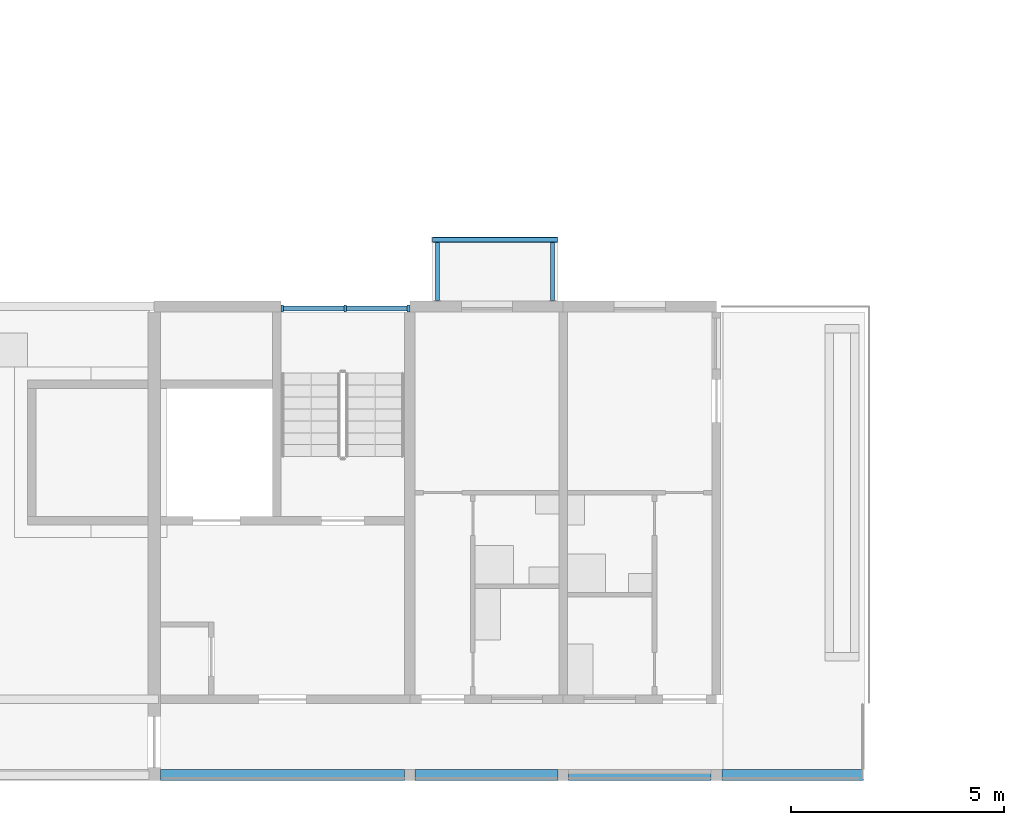
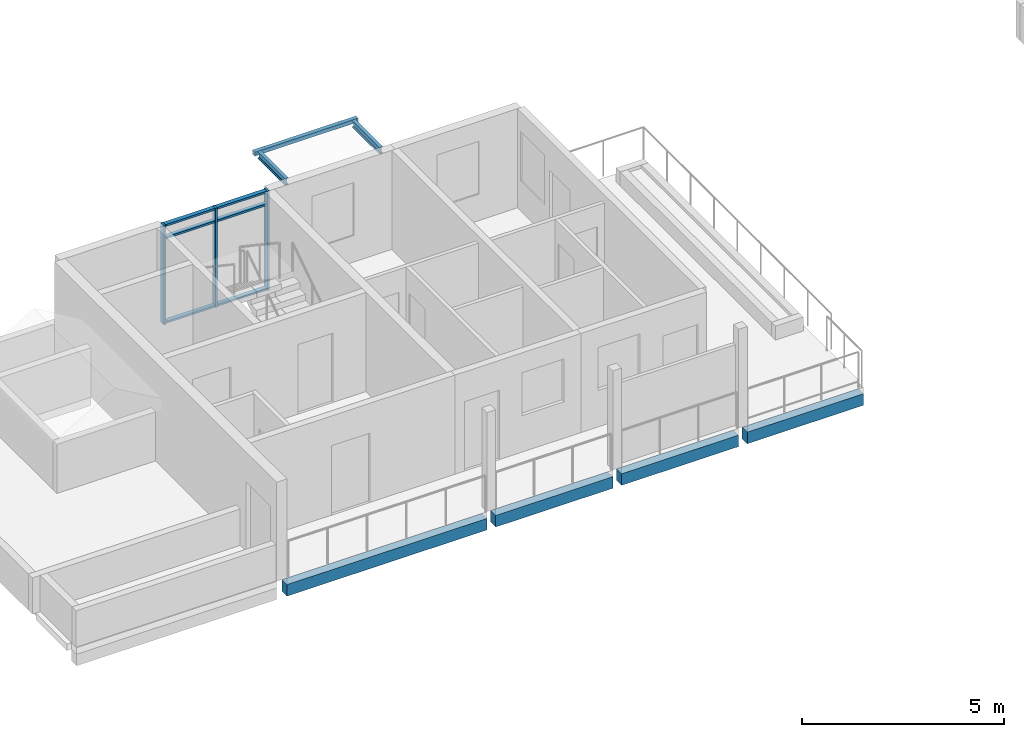
# One storey, part 4 of 41: 9 members, 7 beams, 1 element without a shape of its own.
"""IFC4 building model written with IfcOpenShell, lengths in metres."""

from ifc_helpers import new_model, si_unit, direction, frame, origin, origin_2d, place, context, subcontext, project, spatial, rectangle, hollow_rectangle, i_section, extrude, material, material_profile, profile_set, type_object, element, aggregate, save


model = new_model("IFC4")

# Units and contexts
model_context = context("Model", 3, precision=1e-05, world=origin(), true_north=direction((0.0, 1.0)))
body_context = subcontext(model_context, "Body", "Model", "MODEL_VIEW")
ifc_project = project(units=[si_unit("LENGTHUNIT", "METRE"), si_unit("AREAUNIT", "SQUARE_METRE"), si_unit("VOLUMEUNIT", "CUBIC_METRE"), si_unit("PLANEANGLEUNIT", "RADIAN"), si_unit("MASSUNIT", "GRAM", prefix="KILO")], contexts=[model_context])

# Site, building, storey
site_placement = place(None, origin())
site = spatial("IfcSite", under=ifc_project, at=site_placement, CompositionType="ELEMENT")
building_placement = place(site_placement, origin())
building = spatial("IfcBuilding", under=site, at=building_placement, Name="Ridgestep Commons", CompositionType="ELEMENT")
storey_placement = place(building_placement, frame((0.0, 0.0, 39.0)))
storey = spatial("IfcBuildingStorey", under=building, at=storey_placement, Name="L13", CompositionType="ELEMENT", Elevation=39.0)

# Beams
ifc_material_1 = material(Name="Precast concrete C40/50", Category="concrete")
ifc_material_profile_1 = material_profile(ifc_material_1, rectangle(XDim=0.25, YDim=0.35009765625, at=origin_2d()), Name="PC 250x350")
ifc_profile_set_1 = profile_set([ifc_material_profile_1], Name="Precast concrete C40/50")
beam_type_1 = type_object("IfcBeamType", Name="Loggia edge beam 250 x 350", PredefinedType="SPANDREL", material=ifc_profile_set_1)
beam_1_placement = place(storey_placement, frame((45.75, 11.875, -0.375), z_axis=(1.0, 0.0, 0.0), x_axis=(0.0, 1.0, 0.0)))
element("IfcBeam", 1, at=beam_1_placement, inside=storey, type_object=beam_type_1, Name="Loggia edge beam A3C L13", PredefinedType="SPANDREL", context=body_context, shape_type="SweptSolid", body=[
    extrude(rectangle(XDim=0.25, YDim=0.35009765625, at=origin_2d()), origin(), (0.0, 0.0, 1.0), 5.72509765625),
])
beam_2_placement = place(storey_placement, frame((51.72509765625, 11.875, -0.375), z_axis=(1.0, 0.0, 0.0), x_axis=(0.0, 1.0, 0.0)))
element("IfcBeam", 2, at=beam_2_placement, inside=storey, type_object=beam_type_1, Name="Loggia edge beam A3T3 L13", PredefinedType="SPANDREL", context=body_context, shape_type="SweptSolid", body=[
    extrude(rectangle(XDim=0.25, YDim=0.35009765625, at=origin_2d()), origin(), (0.0, 0.0, 1.0), 3.349853515625),
])
beam_3_placement = place(storey_placement, frame((55.324951171875, 11.875, -0.375), z_axis=(1.0, 0.0, 0.0), x_axis=(0.0, 1.0, 0.0)))
element("IfcBeam", 3, at=beam_3_placement, inside=storey, type_object=beam_type_1, Name="Loggia edge beam A3T2 L13", PredefinedType="SPANDREL", context=body_context, shape_type="SweptSolid", body=[
    extrude(rectangle(XDim=0.25, YDim=0.35009765625, at=origin_2d()), origin(), (0.0, 0.0, 1.0), 3.35009765625),
])
beam_4_placement = place(storey_placement, frame((58.925048828125, 11.875, -0.375), z_axis=(1.0, 0.0, 0.0), x_axis=(0.0, 1.0, 0.0)))
element("IfcBeam", 4, at=beam_4_placement, inside=storey, type_object=beam_type_1, Name="Loggia edge beam A3T1 L13", PredefinedType="SPANDREL", context=body_context, shape_type="SweptSolid", body=[
    extrude(rectangle(XDim=0.25, YDim=0.35009765625, at=origin_2d()), origin(), (0.0, 0.0, 1.0), 3.324951171875),
])

# Curtain wall, members
ifc_material_2 = material(Name="Aluminium 6063-T6 and glass", Category="aluminium")
curtain_wall_type = type_object("IfcCurtainWallType", Name="Curtain wall stair strip", PredefinedType="NOTDEFINED", material=ifc_material_2)
curtain_wall_placement = place(storey_placement, origin())
curtain_wall = element("IfcCurtainWall", 5, at=curtain_wall_placement, inside=storey, type_object=curtain_wall_type, Name="Curtain wall A3C level 13", PredefinedType="NOTDEFINED")
ifc_material_3 = material(Name="Aluminium 6063-T6", Category="aluminium")
ifc_material_profile_2 = material_profile(ifc_material_3, rectangle(XDim=0.159912109375, YDim=0.06005859375, at=origin_2d()), Name="Mullion 60 x 160")
ifc_profile_set_2 = profile_set([ifc_material_profile_2], Name="Aluminium 6063-T6")
member_type_1 = type_object("IfcMemberType", Name="Mullion 60 x 160", PredefinedType="MULLION", material=ifc_profile_set_2)
member_1_placement = place(storey_placement, frame((48.60498046875, 22.830078125, 0.0), z_axis=(0.0, 0.0, 1.0), x_axis=(0.0, 1.0, 0.0)))
member_1 = element("IfcMember", 6, at=member_1_placement, type_object=member_type_1, Name="CW1 mullion 1", PredefinedType="MULLION", context=body_context, shape_type="SweptSolid", body=[
    extrude(rectangle(XDim=0.159912109375, YDim=0.06005859375, at=origin_2d()), origin(), (0.0, 0.0, 1.0), 3.0),
])
member_2_placement = place(storey_placement, frame((50.08740234375, 22.830078125, 0.0), z_axis=(0.0, 0.0, 1.0), x_axis=(0.0, 1.0, 0.0)))
member_2 = element("IfcMember", 7, at=member_2_placement, type_object=member_type_1, Name="CW1 mullion 2", PredefinedType="MULLION", context=body_context, shape_type="SweptSolid", body=[
    extrude(rectangle(XDim=0.159912109375, YDim=0.06005859375, at=origin_2d()), origin(), (0.0, 0.0, 1.0), 3.0),
])
member_3_placement = place(storey_placement, frame((51.570068359375, 22.830078125, 0.0), z_axis=(0.0, 0.0, 1.0), x_axis=(0.0, 1.0, 0.0)))
member_3 = element("IfcMember", 8, at=member_3_placement, type_object=member_type_1, Name="CW1 mullion 3", PredefinedType="MULLION", context=body_context, shape_type="SweptSolid", body=[
    extrude(rectangle(XDim=0.159912109375, YDim=0.06005859375, at=origin_2d()), origin(), (0.0, 0.0, 1.0), 3.0),
])
ifc_material_4 = material(Name="Aluminium 6063-T6", Category="aluminium")
ifc_material_profile_3 = material_profile(ifc_material_4, rectangle(XDim=0.1201171875, YDim=0.06005859375, at=origin_2d()), Name="Transom 60 x 120")
ifc_profile_set_3 = profile_set([ifc_material_profile_3], Name="Aluminium 6063-T6")
member_type_2 = type_object("IfcMemberType", Name="Transom 60 x 120", PredefinedType="USERDEFINED", material=ifc_profile_set_3)
member_4_placement = place(storey_placement, frame((48.635009765625, 22.830078125, 0.030029296875), z_axis=(1.0, 0.0, 0.0), x_axis=(0.0, 1.0, 0.0)))
member_4 = element("IfcMember", 9, at=member_4_placement, type_object=member_type_2, Name="CW1 transom 1.1", ObjectType="TRANSOM", PredefinedType="USERDEFINED", context=body_context, shape_type="SweptSolid", body=[
    extrude(rectangle(XDim=0.1201171875, YDim=0.06005859375, at=origin_2d()), origin(), (0.0, 0.0, 1.0), 1.422607421875),
])
member_5_placement = place(storey_placement, frame((48.635009765625, 22.830078125, 2.590087890625), z_axis=(1.0, 0.0, 0.0), x_axis=(0.0, 1.0, 0.0)))
member_5 = element("IfcMember", 10, at=member_5_placement, type_object=member_type_2, Name="CW1 transom 1.2", ObjectType="TRANSOM", PredefinedType="USERDEFINED", context=body_context, shape_type="SweptSolid", body=[
    extrude(rectangle(XDim=0.1201171875, YDim=0.06005859375, at=origin_2d()), origin(), (0.0, 0.0, 1.0), 1.422607421875),
])
member_6_placement = place(storey_placement, frame((48.635009765625, 22.830078125, 2.969970703125), z_axis=(1.0, 0.0, 0.0), x_axis=(0.0, 1.0, 0.0)))
member_6 = element("IfcMember", 11, at=member_6_placement, type_object=member_type_2, Name="CW1 transom 1.3", ObjectType="TRANSOM", PredefinedType="USERDEFINED", context=body_context, shape_type="SweptSolid", body=[
    extrude(rectangle(XDim=0.1201171875, YDim=0.06005859375, at=origin_2d()), origin(), (0.0, 0.0, 1.0), 1.422607421875),
])
member_7_placement = place(storey_placement, frame((50.117431640625, 22.830078125, 0.030029296875), z_axis=(1.0, 0.0, 0.0), x_axis=(0.0, 1.0, 0.0)))
member_7 = element("IfcMember", 12, at=member_7_placement, type_object=member_type_2, Name="CW1 transom 2.1", ObjectType="TRANSOM", PredefinedType="USERDEFINED", context=body_context, shape_type="SweptSolid", body=[
    extrude(rectangle(XDim=0.1201171875, YDim=0.06005859375, at=origin_2d()), origin(), (0.0, 0.0, 1.0), 1.422607421875),
])
member_8_placement = place(storey_placement, frame((50.117431640625, 22.830078125, 2.590087890625), z_axis=(1.0, 0.0, 0.0), x_axis=(0.0, 1.0, 0.0)))
member_8 = element("IfcMember", 13, at=member_8_placement, type_object=member_type_2, Name="CW1 transom 2.2", ObjectType="TRANSOM", PredefinedType="USERDEFINED", context=body_context, shape_type="SweptSolid", body=[
    extrude(rectangle(XDim=0.1201171875, YDim=0.06005859375, at=origin_2d()), origin(), (0.0, 0.0, 1.0), 1.422607421875),
])
member_9_placement = place(storey_placement, frame((50.117431640625, 22.830078125, 2.969970703125), z_axis=(1.0, 0.0, 0.0), x_axis=(0.0, 1.0, 0.0)))
member_9 = element("IfcMember", 14, at=member_9_placement, type_object=member_type_2, Name="CW1 transom 2.3", ObjectType="TRANSOM", PredefinedType="USERDEFINED", context=body_context, shape_type="SweptSolid", body=[
    extrude(rectangle(XDim=0.1201171875, YDim=0.06005859375, at=origin_2d()), origin(), (0.0, 0.0, 1.0), 1.422607421875),
])
aggregate(curtain_wall, [member_1, member_2, member_3, member_4, member_5, member_6, member_7, member_8, member_9])

# Beams
ifc_material_5 = material(Name="Weathering steel S355J2W", Category="steel")
ifc_material_profile_4 = material_profile(ifc_material_5, i_section(OverallWidth=0.101806640625, OverallDepth=0.203125, WebThickness=0.00537109375, FlangeThickness=0.00927734375, FilletRadius=0.007568359375, at=origin_2d()), Name="UB 203x102x23")
ifc_profile_set_4 = profile_set([ifc_material_profile_4], Name="Weathering steel S355J2W")
beam_type_2 = type_object("IfcBeamType", Name="Tray arm UB 203x102x23", PredefinedType="BEAM", material=ifc_profile_set_4)
for number, where, z_axis, x_axis, name in (
    (15, (52.25, 23.014892578125, 2.888427734375), (0.0, 1.0, 0.0), (-1.0, 0.0, 0.0), "Tray arm A3T3-14.1"),
    (16, (54.949951171875, 23.014892578125, 2.888427734375), (0.0, 1.0, 0.0), (-1.0, 0.0, 0.0), "Tray arm A3T3-14.2"),
):
    element("IfcBeam", number, at=place(storey_placement, frame(where, z_axis=z_axis, x_axis=x_axis)), inside=storey, type_object=beam_type_2, Name=name, PredefinedType="BEAM", context=body_context, shape_type="SweptSolid", body=[
        extrude(i_section(OverallWidth=0.101806640625, OverallDepth=0.203125, WebThickness=0.00537109375, FlangeThickness=0.00927734375, FilletRadius=0.007568359375, at=origin_2d()), origin(), (0.0, 0.0, 1.0), 1.364990234375),
    ])
ifc_material_6 = material(Name="Weathering steel S355J2W", Category="steel")
ifc_material_profile_5 = material_profile(ifc_material_6, hollow_rectangle(XDim=0.1201171875, YDim=0.1201171875, WallThickness=0.00634765625, InnerFilletRadius=0.00634765625, OuterFilletRadius=0.009521484375, at=origin_2d()), Name="SHS 120x120x6.3")
ifc_profile_set_5 = profile_set([ifc_material_profile_5], Name="Weathering steel S355J2W")
beam_type_3 = type_object("IfcBeamType", Name="Tray edge member SHS 120x120x6.3", PredefinedType="BEAM", material=ifc_profile_set_5)
beam_5_placement = place(storey_placement, frame((52.1298828125, 24.43994140625, 2.929931640625), z_axis=(1.0, 0.0, 0.0), x_axis=(0.0, 0.0, 1.0)))
element("IfcBeam", 17, at=beam_5_placement, inside=storey, type_object=beam_type_3, Name="Tray edge member A3T3-14", PredefinedType="BEAM", context=body_context, shape_type="SweptSolid", body=[
    extrude(hollow_rectangle(XDim=0.1201171875, YDim=0.1201171875, WallThickness=0.00634765625, InnerFilletRadius=0.00634765625, OuterFilletRadius=0.009521484375, at=origin_2d()), origin(), (0.0, 0.0, 1.0), 2.940185546875),
])

save(model, "model.ifc")
